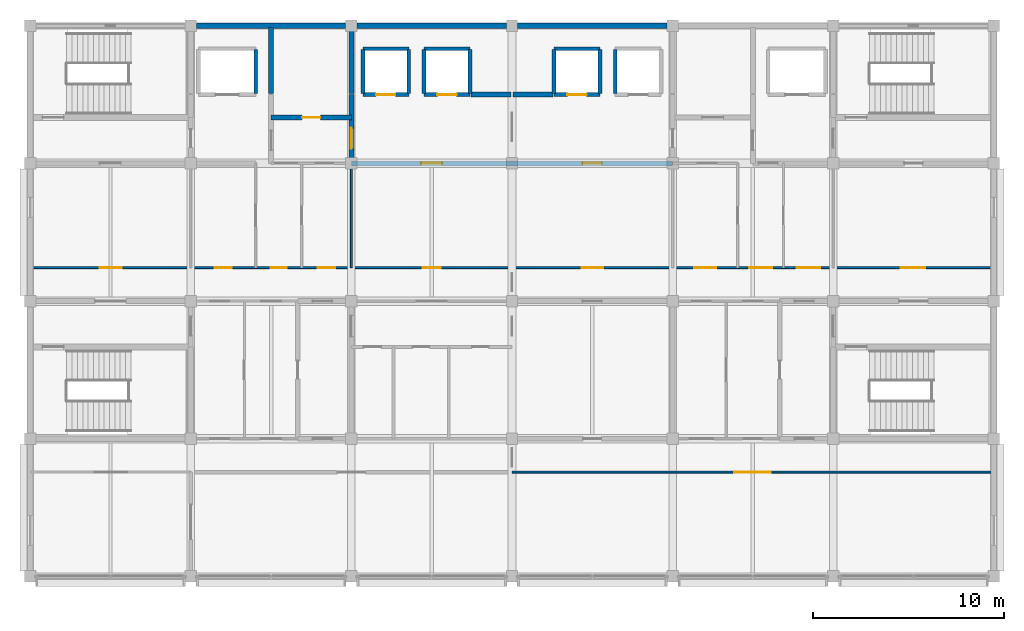
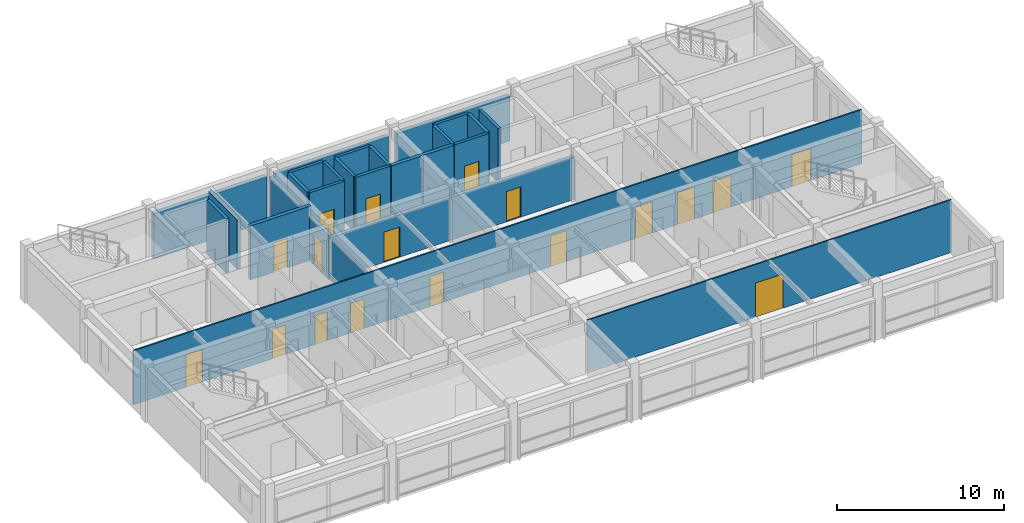
# One storey, part 10 of 13: 27 walls, 18 doors, 18 openings.
"""IFC4 building model written with IfcOpenShell, lengths in metres."""

from ifc_helpers import new_model, si_unit, direction, frame, frame_2d, origin, place, context, subcontext, project, spatial, rectangle, extrude, material, layer, layer_set, type_object, element, fill, save


model = new_model("IFC4")

# Units and contexts
model_context = context("Model", 3, precision=1e-05, world=origin(), true_north=direction((0.0, 1.0)))
body_context = subcontext(model_context, "Body", "Model", "MODEL_VIEW")
ifc_project = project(units=[si_unit("LENGTHUNIT", "METRE"), si_unit("AREAUNIT", "SQUARE_METRE"), si_unit("VOLUMEUNIT", "CUBIC_METRE"), si_unit("PLANEANGLEUNIT", "RADIAN"), si_unit("MASSUNIT", "GRAM", prefix="KILO")], contexts=[model_context])

# Site, building, storey
site_placement = place(None, origin())
site = spatial("IfcSite", under=ifc_project, at=site_placement, CompositionType="ELEMENT")
building_placement = place(site_placement, origin())
building = spatial("IfcBuilding", under=site, at=building_placement, Name="Chengyuan Square Courthouse", CompositionType="ELEMENT")
storey_placement = place(building_placement, frame((0.0, 0.0, 64.5)))
storey = spatial("IfcBuildingStorey", under=building, at=storey_placement, Name="L15", CompositionType="ELEMENT", Elevation=64.5)

# Walls
ifc_material_1 = material(Name="Concrete C40", Category="concrete")
ifc_layer_1 = layer(ifc_material_1, 0.280029296875)
ifc_layer_set_1 = layer_set([ifc_layer_1], Name="Concrete C40")
wall_type_1 = type_object("IfcWallType", Name="WL-EW4", PredefinedType="STANDARD", material=ifc_layer_set_1)
wall_1_placement = place(storey_placement, frame((67.4951171875, 108.0, 0.0), z_axis=(0.0, 0.0, 1.0), x_axis=(1.0, 0.0, 0.0)))
element("IfcWall", 1, at=wall_1_placement, inside=storey, type_object=wall_type_1, Name="Exterior Wall WL-L15-E527", PredefinedType="STANDARD", context=body_context, shape_type="SweptSolid", body=[
    extrude(rectangle(XDim=7.809814453125, YDim=0.280029296875, at=frame_2d((3.90478515625, 0.0))), origin(), (0.0, 0.0, 1.0), 3.300048828125),
])
for number, where, z_axis, x_axis, name in (
    (2, (75.89501953125, 108.0, 0.0), (0.0, 0.0, 1.0), (1.0, 0.0, 0.0), "Exterior Wall WL-L15-E528"),
    (3, (84.294921875, 108.0, 0.0), (0.0, 0.0, 1.0), (1.0, 0.0, 0.0), "Exterior Wall WL-L15-E529"),
):
    element("IfcWall", number, at=place(storey_placement, frame(where, z_axis=z_axis, x_axis=x_axis)), inside=storey, type_object=wall_type_1, Name=name, PredefinedType="STANDARD", context=body_context, shape_type="SweptSolid", body=[
        extrude(rectangle(XDim=7.81005859375, YDim=0.280029296875, at=frame_2d((3.905029296875, 0.0))), origin(), (0.0, 0.0, 1.0), 3.300048828125),
    ])

# Wall, openings, doors
ifc_layer_2 = layer(ifc_material_1, 0.25)
ifc_layer_set_2 = layer_set([ifc_layer_2], Name="Concrete C40")
wall_type_2 = type_object("IfcWallType", Name="WL-FW1", PredefinedType="STANDARD", material=ifc_layer_set_2)
wall_2_placement = place(storey_placement, frame((75.60009765625, 100.800048828125, 0.0), z_axis=(0.0, 0.0, 1.0), x_axis=(1.0, 0.0, 0.0)))
wall_2 = element("IfcWall", 4, at=wall_2_placement, inside=storey, type_object=wall_type_2, Name="Interior Wall WL-L15-I4016", PredefinedType="STANDARD", context=body_context, shape_type="SweptSolid", body=[
    extrude(rectangle(XDim=16.7998046875, YDim=0.25, at=frame_2d((8.39990234375, 0.0))), origin(), (0.0, 0.0, 1.0), 3.10009765625),
])
opening_1_placement = place(wall_2_placement, frame((3.64990234375, 0.0, 0.0)))
opening_1 = element("IfcOpeningElement", 5, at=opening_1_placement, cuts=wall_2, Name="Opening DR-3324", PredefinedType="OPENING", context=body_context, shape_type="SweptSolid", body=[
    extrude(rectangle(XDim=1.10009765625, YDim=2.199951171875, at=frame_2d((0.550048828125, 1.10009765625))), frame((0.0, 0.136962890625, 0.0), z_axis=(0.0, -1.0, 0.0), x_axis=(1.0, 0.0, 0.0)), (0.0, 0.0, 1.0), 0.27392578125),
])
opening_2_placement = place(wall_2_placement, frame((12.10009765625, 0.0, 0.0)))
opening_2 = element("IfcOpeningElement", 6, at=opening_2_placement, cuts=wall_2, Name="Opening DR-3325", PredefinedType="OPENING", context=body_context, shape_type="SweptSolid", body=[
    extrude(rectangle(XDim=1.0, YDim=2.199951171875, at=frame_2d((0.5, 1.10009765625))), frame((0.0, 0.136962890625, 0.0), z_axis=(0.0, -1.0, 0.0), x_axis=(1.0, 0.0, 0.0)), (0.0, 0.0, 1.0), 0.27392578125),
])
ifc_material_2 = material(Name="Steel Q235B Fire Door", Category="steel")
door_type_1 = type_object("IfcDoorType", Name="DT-10", OperationType="NOTDEFINED", PredefinedType="DOOR", material=ifc_material_2)
door_1_placement = place(opening_1_placement, origin())
door_1 = element("IfcDoor", 7, at=door_1_placement, inside=storey, type_object=door_type_1, Name="Interior Door DR-3324", OperationType="SINGLE_SWING_RIGHT", OverallHeight=2.199951171875, OverallWidth=1.10009765625, PredefinedType="DOOR", context=body_context, shape_type="SweptSolid", body=[
    extrude(rectangle(XDim=1.10009765625, YDim=2.199951171875, at=frame_2d((0.550048828125, 1.10009765625))), frame((0.0, 0.02490234375, 0.0), z_axis=(0.0, -1.0, 0.0), x_axis=(1.0, 0.0, 0.0)), (0.0, 0.0, 1.0), 0.050048828125),
])
fill(opening_1, door_1)
door_type_2 = type_object("IfcDoorType", Name="DT-11", OperationType="NOTDEFINED", PredefinedType="DOOR", material=ifc_material_2)
door_2_placement = place(opening_2_placement, origin())
door_2 = element("IfcDoor", 8, at=door_2_placement, inside=storey, type_object=door_type_2, Name="Interior Door DR-3325", OperationType="SINGLE_SWING_LEFT", OverallHeight=2.199951171875, OverallWidth=1.0, PredefinedType="DOOR", context=body_context, shape_type="SweptSolid", body=[
    extrude(rectangle(XDim=1.0, YDim=2.199951171875, at=frame_2d((0.5, 1.10009765625))), frame((0.0, 0.02490234375, 0.0), z_axis=(0.0, -1.0, 0.0), x_axis=(1.0, 0.0, 0.0)), (0.0, 0.0, 1.0), 0.050048828125),
])
fill(opening_2, door_2)

# Wall, opening, door
wall_3_placement = place(storey_placement, frame((71.39990234375, 103.199951171875, 0.0), z_axis=(0.0, 0.0, 1.0), x_axis=(1.0, 0.0, 0.0)))
wall_3 = element("IfcWall", 9, at=wall_3_placement, inside=storey, type_object=wall_type_2, Name="Interior Wall WL-L15-I4020", PredefinedType="STANDARD", context=body_context, shape_type="SweptSolid", body=[
    extrude(rectangle(XDim=4.2001953125, YDim=0.25, at=frame_2d((2.10009765625, 0.0))), origin(), (0.0, 0.0, 1.0), 3.949951171875),
])
opening_3_placement = place(wall_3_placement, frame((1.625, 0.0, 0.0)))
opening_3 = element("IfcOpeningElement", 10, at=opening_3_placement, cuts=wall_3, Name="Opening DR-3314", PredefinedType="OPENING", context=body_context, shape_type="SweptSolid", body=[
    extrude(rectangle(XDim=0.949951171875, YDim=2.14990234375, at=frame_2d((0.47509765625, 1.074951171875))), frame((0.0, 0.136962890625, 0.0), z_axis=(0.0, -1.0, 0.0), x_axis=(1.0, 0.0, 0.0)), (0.0, 0.0, 1.0), 0.27392578125),
])
door_type_3 = type_object("IfcDoorType", Name="DT-12", OperationType="NOTDEFINED", PredefinedType="DOOR", material=ifc_material_2)
door_3_placement = place(opening_3_placement, origin())
door_3 = element("IfcDoor", 11, at=door_3_placement, inside=storey, type_object=door_type_3, Name="Interior Door DR-3314", OperationType="SINGLE_SWING_LEFT", OverallHeight=2.14990234375, OverallWidth=0.949951171875, PredefinedType="DOOR", context=body_context, shape_type="SweptSolid", body=[
    extrude(rectangle(XDim=0.949951171875, YDim=2.14990234375, at=frame_2d((0.47509765625, 1.074951171875))), frame((0.0, 0.02490234375, 0.0), z_axis=(0.0, -1.0, 0.0), x_axis=(1.0, 0.0, 0.0)), (0.0, 0.0, 1.0), 0.050048828125),
])
fill(opening_3, door_3)

# Walls
for number, where, z_axis, x_axis, name in (
    (12, (81.85009765625, 104.39990234375, 0.0), (0.0, 0.0, 1.0), (1.0, 0.0, 0.0), "Interior Wall WL-L15-I4026"),
    (13, (84.050048828125, 104.39990234375, 0.0), (0.0, 0.0, 1.0), (1.0, 0.0, 0.0), "Interior Wall WL-L15-I4027"),
):
    element("IfcWall", number, at=place(storey_placement, frame(where, z_axis=z_axis, x_axis=x_axis)), inside=storey, type_object=wall_type_2, Name=name, PredefinedType="STANDARD", context=body_context, shape_type="SweptSolid", body=[
        extrude(rectangle(XDim=2.099853515625, YDim=0.25, at=frame_2d((1.0498046875, 0.0))), origin(), (0.0, 0.0, 1.0), 3.949951171875),
    ])
wall_4_placement = place(storey_placement, frame((71.39990234375, 104.449951171875, 0.0), z_axis=(0.0, 0.0, 1.0), x_axis=(0.0, 1.0, 0.0)))
element("IfcWall", 14, at=wall_4_placement, inside=storey, type_object=wall_type_2, Name="Interior Wall WL-L15-I4049", PredefinedType="STANDARD", context=body_context, shape_type="SweptSolid", body=[
    extrude(rectangle(XDim=3.4599609375, YDim=0.25, at=frame_2d((1.72998046875, 0.0))), origin(), (0.0, 0.0, 1.0), 3.60009765625),
])

# Wall, opening, door
wall_5_placement = place(storey_placement, frame((75.60009765625, 100.800048828125, 0.0), z_axis=(0.0, 0.0, 1.0), x_axis=(0.0, 1.0, 0.0)))
wall_5 = element("IfcWall", 15, at=wall_5_placement, inside=storey, type_object=wall_type_2, Name="Interior Wall WL-L15-I4054", PredefinedType="STANDARD", context=body_context, shape_type="SweptSolid", body=[
    extrude(rectangle(XDim=3.599853515625, YDim=0.25, at=frame_2d((1.7998046875, 0.0))), origin(), (0.0, 0.0, 1.0), 3.199951171875),
])
opening_4_placement = place(wall_5_placement, frame((0.760009765625, 0.0, 0.0)))
opening_4 = element("IfcOpeningElement", 16, at=opening_4_placement, cuts=wall_5, Name="Opening DR-3315", PredefinedType="OPENING", context=body_context, shape_type="SweptSolid", body=[
    extrude(rectangle(XDim=1.10009765625, YDim=2.199951171875, at=frame_2d((0.550048828125, 1.10009765625))), frame((0.0, 0.136962890625, 0.0), z_axis=(0.0, -1.0, 0.0), x_axis=(1.0, 0.0, 0.0)), (0.0, 0.0, 1.0), 0.27392578125),
])
door_4_placement = place(opening_4_placement, origin())
door_4 = element("IfcDoor", 17, at=door_4_placement, inside=storey, type_object=door_type_1, Name="Interior Door DR-3315", OperationType="SINGLE_SWING_RIGHT", OverallHeight=2.199951171875, OverallWidth=1.10009765625, PredefinedType="DOOR", context=body_context, shape_type="SweptSolid", body=[
    extrude(rectangle(XDim=1.10009765625, YDim=2.199951171875, at=frame_2d((0.550048828125, 1.10009765625))), frame((0.0, 0.02490234375, 0.0), z_axis=(0.0, -1.0, 0.0), x_axis=(1.0, 0.0, 0.0)), (0.0, 0.0, 1.0), 0.050048828125),
])
fill(opening_4, door_4)

# Wall
wall_6_placement = place(storey_placement, frame((75.60009765625, 104.449951171875, 0.0), z_axis=(0.0, 0.0, 1.0), x_axis=(0.0, 1.0, 0.0)))
element("IfcWall", 18, at=wall_6_placement, inside=storey, type_object=wall_type_2, Name="Interior Wall WL-L15-I4055", PredefinedType="STANDARD", context=body_context, shape_type="SweptSolid", body=[
    extrude(rectangle(XDim=3.4599609375, YDim=0.25, at=frame_2d((1.72998046875, 0.0))), origin(), (0.0, 0.0, 1.0), 3.199951171875),
])

# Wall, opening, door
ifc_material_3 = material(Name="Gypsum Plasterboard Acoustic Stud Partition")
ifc_layer_3 = layer(ifc_material_3, 0.10009765625)
ifc_layer_set_3 = layer_set([ifc_layer_3], Name="Gypsum Plasterboard Acoustic Stud Partition")
wall_type_3 = type_object("IfcWallType", Name="WL-PT6", PredefinedType="STANDARD", material=ifc_layer_set_3)
wall_7_placement = place(storey_placement, frame((84.0, 84.64990234375, 0.0), z_axis=(0.0, 0.0, 1.0), x_axis=(1.0, 0.0, 0.0)))
wall_7 = element("IfcWall", 19, at=wall_7_placement, inside=storey, type_object=wall_type_3, Name="Interior Wall WL-L15-I3994", PredefinedType="STANDARD", context=body_context, shape_type="SweptSolid", body=[
    extrude(rectangle(XDim=25.159912109375, YDim=0.10009765625, at=frame_2d((12.580078125, 0.0))), origin(), (0.0, 0.0, 1.0), 3.85009765625),
])
opening_5_placement = place(wall_7_placement, frame((11.6298828125, 0.0, 0.0)))
opening_5 = element("IfcOpeningElement", 20, at=opening_5_placement, cuts=wall_7, Name="Opening DR-3368", PredefinedType="OPENING", context=body_context, shape_type="SweptSolid", body=[
    extrude(rectangle(XDim=1.89990234375, YDim=2.5, at=frame_2d((0.949951171875, 1.25))), frame((0.0, 0.06201171875, 0.0), z_axis=(0.0, -1.0, 0.0), x_axis=(1.0, 0.0, 0.0)), (0.0, 0.0, 1.0), 0.1240234375),
])
ifc_material_4 = material(Name="Acoustic Larch Veneer Double Door")
door_type_4 = type_object("IfcDoorType", Name="DT-26", OperationType="DOUBLE_DOOR_SINGLE_SWING", PredefinedType="DOOR", material=ifc_material_4)
door_5_placement = place(opening_5_placement, frame((1.89990234375, 0.0, 0.0), z_axis=(0.0, 0.0, 1.0), x_axis=(-1.0, 0.0, 0.0)))
door_5 = element("IfcDoor", 21, at=door_5_placement, inside=storey, type_object=door_type_4, Name="Interior Door DR-3368", OperationType="DOUBLE_DOOR_SINGLE_SWING", OverallHeight=2.5, OverallWidth=1.89990234375, PredefinedType="DOOR", context=body_context, shape_type="SweptSolid", body=[
    extrude(rectangle(XDim=1.89990234375, YDim=2.5, at=frame_2d((0.949951171875, 1.25))), frame((0.0, 0.02490234375, 0.0), z_axis=(0.0, -1.0, 0.0), x_axis=(1.0, 0.0, 0.0)), (0.0, 0.0, 1.0), 0.050048828125),
])
fill(opening_5, door_5)

# Wall, openings, doors
wall_8_placement = place(storey_placement, frame((58.840087890625, 95.35009765625, 0.0), z_axis=(0.0, 0.0, 1.0), x_axis=(1.0, 0.0, 0.0)))
wall_8 = element("IfcWall", 22, at=wall_8_placement, inside=storey, type_object=wall_type_3, Name="Interior Wall WL-L15-I4013", PredefinedType="STANDARD", context=body_context, shape_type="SweptSolid", body=[
    extrude(rectangle(XDim=50.31982421875, YDim=0.10009765625, at=frame_2d((25.159912109375, 0.0))), origin(), (0.0, 0.0, 1.0), 3.949951171875),
])
opening_6_placement = place(wall_8_placement, frame((3.610107421875, 0.0, 0.0)))
opening_6 = element("IfcOpeningElement", 23, at=opening_6_placement, cuts=wall_8, Name="Opening DR-3333", PredefinedType="OPENING", context=body_context, shape_type="SweptSolid", body=[
    extrude(rectangle(XDim=1.139892578125, YDim=2.39990234375, at=frame_2d((0.56982421875, 1.199951171875))), frame((0.0, 0.06201171875, 0.0), z_axis=(0.0, -1.0, 0.0), x_axis=(1.0, 0.0, 0.0)), (0.0, 0.0, 1.0), 0.1240234375),
])
opening_7_placement = place(wall_8_placement, frame((9.610107421875, 0.0, 0.0)))
opening_7 = element("IfcOpeningElement", 24, at=opening_7_placement, cuts=wall_8, Name="Opening DR-3334", PredefinedType="OPENING", context=body_context, shape_type="SweptSolid", body=[
    extrude(rectangle(XDim=0.89990234375, YDim=2.14990234375, at=frame_2d((0.449951171875, 1.074951171875))), frame((0.0, 0.06201171875, 0.0), z_axis=(0.0, -1.0, 0.0), x_axis=(1.0, 0.0, 0.0)), (0.0, 0.0, 1.0), 0.1240234375),
])
opening_8_placement = place(wall_8_placement, frame((12.530029296875, 0.0, 0.0)))
opening_8 = element("IfcOpeningElement", 25, at=opening_8_placement, cuts=wall_8, Name="Opening DR-3335", PredefinedType="OPENING", context=body_context, shape_type="SweptSolid", body=[
    extrude(rectangle(XDim=0.860107421875, YDim=2.10009765625, at=frame_2d((0.43017578125, 1.050048828125))), frame((0.0, 0.06201171875, 0.0), z_axis=(0.0, -1.0, 0.0), x_axis=(1.0, 0.0, 0.0)), (0.0, 0.0, 1.0), 0.1240234375),
])
opening_9_placement = place(wall_8_placement, frame((15.0, 0.0, 0.0)))
opening_9 = element("IfcOpeningElement", 26, at=opening_9_placement, cuts=wall_8, Name="Opening DR-3336", PredefinedType="OPENING", context=body_context, shape_type="SweptSolid", body=[
    extrude(rectangle(XDim=0.919921875, YDim=2.14990234375, at=frame_2d((0.4599609375, 1.074951171875))), frame((0.0, 0.06201171875, 0.0), z_axis=(0.0, -1.0, 0.0), x_axis=(1.0, 0.0, 0.0)), (0.0, 0.0, 1.0), 0.1240234375),
])
opening_10_placement = place(wall_8_placement, frame((20.47998046875, 0.0, 0.0)))
opening_10 = element("IfcOpeningElement", 27, at=opening_10_placement, cuts=wall_8, Name="Opening DR-3337", PredefinedType="OPENING", context=body_context, shape_type="SweptSolid", body=[
    extrude(rectangle(XDim=0.9599609375, YDim=2.199951171875, at=frame_2d((0.47998046875, 1.10009765625))), frame((0.0, 0.06201171875, 0.0), z_axis=(0.0, -1.0, 0.0), x_axis=(1.0, 0.0, 0.0)), (0.0, 0.0, 1.0), 0.1240234375),
])
opening_11_placement = place(wall_8_placement, frame((28.800048828125, 0.0, 0.0)))
opening_11 = element("IfcOpeningElement", 28, at=opening_11_placement, cuts=wall_8, Name="Opening DR-3341", PredefinedType="OPENING", context=body_context, shape_type="SweptSolid", body=[
    extrude(rectangle(XDim=1.1201171875, YDim=2.25, at=frame_2d((0.56005859375, 1.125))), frame((0.0, 0.06201171875, 0.0), z_axis=(0.0, -1.0, 0.0), x_axis=(1.0, 0.0, 0.0)), (0.0, 0.0, 1.0), 0.1240234375),
])
opening_12_placement = place(wall_8_placement, frame((34.679931640625, 0.0, 0.0)))
opening_12 = element("IfcOpeningElement", 29, at=opening_12_placement, cuts=wall_8, Name="Opening DR-3342", PredefinedType="OPENING", context=body_context, shape_type="SweptSolid", body=[
    extrude(rectangle(XDim=1.159912109375, YDim=2.300048828125, at=frame_2d((0.580078125, 1.14990234375))), frame((0.0, 0.06201171875, 0.0), z_axis=(0.0, -1.0, 0.0), x_axis=(1.0, 0.0, 0.0)), (0.0, 0.0, 1.0), 0.1240234375),
])
opening_13_placement = place(wall_8_placement, frame((37.56005859375, 0.0, 0.0)))
opening_13 = element("IfcOpeningElement", 30, at=opening_13_placement, cuts=wall_8, Name="Opening DR-3343", PredefinedType="OPENING", context=body_context, shape_type="SweptSolid", body=[
    extrude(rectangle(XDim=1.199951171875, YDim=2.35009765625, at=frame_2d((0.60009765625, 1.175048828125))), frame((0.0, 0.06201171875, 0.0), z_axis=(0.0, -1.0, 0.0), x_axis=(1.0, 0.0, 0.0)), (0.0, 0.0, 1.0), 0.1240234375),
])
opening_14_placement = place(wall_8_placement, frame((40.0400390625, 0.0, 0.0)))
opening_14 = element("IfcOpeningElement", 31, at=opening_14_placement, cuts=wall_8, Name="Opening DR-3344", PredefinedType="OPENING", context=body_context, shape_type="SweptSolid", body=[
    extrude(rectangle(XDim=1.239990234375, YDim=2.300048828125, at=frame_2d((0.6201171875, 1.14990234375))), frame((0.0, 0.06201171875, 0.0), z_axis=(0.0, -1.0, 0.0), x_axis=(1.0, 0.0, 0.0)), (0.0, 0.0, 1.0), 0.1240234375),
])
opening_15_placement = place(wall_8_placement, frame((45.5, 0.0, 0.0)))
opening_15 = element("IfcOpeningElement", 32, at=opening_15_placement, cuts=wall_8, Name="Opening DR-3345", PredefinedType="OPENING", context=body_context, shape_type="SweptSolid", body=[
    extrude(rectangle(XDim=1.280029296875, YDim=2.35009765625, at=frame_2d((0.64013671875, 1.175048828125))), frame((0.0, 0.06201171875, 0.0), z_axis=(0.0, -1.0, 0.0), x_axis=(1.0, 0.0, 0.0)), (0.0, 0.0, 1.0), 0.1240234375),
])
ifc_material_5 = material(Name="Acoustic Solid-Core Timber Door", Category="wood")
door_type_5 = type_object("IfcDoorType", Name="DT-27", OperationType="NOTDEFINED", PredefinedType="DOOR", material=ifc_material_5)
door_6_placement = place(opening_7_placement, origin())
door_6 = element("IfcDoor", 33, at=door_6_placement, inside=storey, type_object=door_type_5, Name="Interior Door DR-3334", OperationType="SINGLE_SWING_LEFT", OverallHeight=2.14990234375, OverallWidth=0.89990234375, PredefinedType="DOOR", context=body_context, shape_type="SweptSolid", body=[
    extrude(rectangle(XDim=0.89990234375, YDim=2.14990234375, at=frame_2d((0.449951171875, 1.074951171875))), frame((0.0, 0.02490234375, 0.0), z_axis=(0.0, -1.0, 0.0), x_axis=(1.0, 0.0, 0.0)), (0.0, 0.0, 1.0), 0.050048828125),
])
fill(opening_7, door_6)
door_type_6 = type_object("IfcDoorType", Name="DT-28", OperationType="NOTDEFINED", PredefinedType="DOOR", material=ifc_material_5)
door_7_placement = place(opening_8_placement, origin())
door_7 = element("IfcDoor", 34, at=door_7_placement, inside=storey, type_object=door_type_6, Name="Interior Door DR-3335", OperationType="SINGLE_SWING_RIGHT", OverallHeight=2.10009765625, OverallWidth=0.860107421875, PredefinedType="DOOR", context=body_context, shape_type="SweptSolid", body=[
    extrude(rectangle(XDim=0.860107421875, YDim=2.10009765625, at=frame_2d((0.43017578125, 1.050048828125))), frame((0.0, 0.02490234375, 0.0), z_axis=(0.0, -1.0, 0.0), x_axis=(1.0, 0.0, 0.0)), (0.0, 0.0, 1.0), 0.050048828125),
])
fill(opening_8, door_7)
door_type_7 = type_object("IfcDoorType", Name="DT-29", OperationType="NOTDEFINED", PredefinedType="DOOR", material=ifc_material_5)
door_8_placement = place(opening_9_placement, origin())
door_8 = element("IfcDoor", 35, at=door_8_placement, inside=storey, type_object=door_type_7, Name="Interior Door DR-3336", OperationType="SINGLE_SWING_LEFT", OverallHeight=2.14990234375, OverallWidth=0.919921875, PredefinedType="DOOR", context=body_context, shape_type="SweptSolid", body=[
    extrude(rectangle(XDim=0.919921875, YDim=2.14990234375, at=frame_2d((0.4599609375, 1.074951171875))), frame((0.0, 0.02490234375, 0.0), z_axis=(0.0, -1.0, 0.0), x_axis=(1.0, 0.0, 0.0)), (0.0, 0.0, 1.0), 0.050048828125),
])
fill(opening_9, door_8)
door_type_8 = type_object("IfcDoorType", Name="DT-30", OperationType="NOTDEFINED", PredefinedType="DOOR", material=ifc_material_5)
door_9_placement = place(opening_10_placement, origin())
door_9 = element("IfcDoor", 36, at=door_9_placement, inside=storey, type_object=door_type_8, Name="Interior Door DR-3337", OperationType="SINGLE_SWING_RIGHT", OverallHeight=2.199951171875, OverallWidth=0.9599609375, PredefinedType="DOOR", context=body_context, shape_type="SweptSolid", body=[
    extrude(rectangle(XDim=0.9599609375, YDim=2.199951171875, at=frame_2d((0.47998046875, 1.10009765625))), frame((0.0, 0.02490234375, 0.0), z_axis=(0.0, -1.0, 0.0), x_axis=(1.0, 0.0, 0.0)), (0.0, 0.0, 1.0), 0.050048828125),
])
fill(opening_10, door_9)
door_type_9 = type_object("IfcDoorType", Name="DT-34", OperationType="NOTDEFINED", PredefinedType="DOOR", material=ifc_material_5)
door_10_placement = place(opening_11_placement, origin())
door_10 = element("IfcDoor", 37, at=door_10_placement, inside=storey, type_object=door_type_9, Name="Interior Door DR-3341", OperationType="SINGLE_SWING_RIGHT", OverallHeight=2.25, OverallWidth=1.1201171875, PredefinedType="DOOR", context=body_context, shape_type="SweptSolid", body=[
    extrude(rectangle(XDim=1.1201171875, YDim=2.25, at=frame_2d((0.56005859375, 1.125))), frame((0.0, 0.02490234375, 0.0), z_axis=(0.0, -1.0, 0.0), x_axis=(1.0, 0.0, 0.0)), (0.0, 0.0, 1.0), 0.050048828125),
])
fill(opening_11, door_10)
door_type_10 = type_object("IfcDoorType", Name="DT-35", OperationType="NOTDEFINED", PredefinedType="DOOR", material=ifc_material_5)
door_11_placement = place(opening_12_placement, origin())
door_11 = element("IfcDoor", 38, at=door_11_placement, inside=storey, type_object=door_type_10, Name="Interior Door DR-3342", OperationType="SINGLE_SWING_LEFT", OverallHeight=2.300048828125, OverallWidth=1.159912109375, PredefinedType="DOOR", context=body_context, shape_type="SweptSolid", body=[
    extrude(rectangle(XDim=1.159912109375, YDim=2.300048828125, at=frame_2d((0.580078125, 1.14990234375))), frame((0.0, 0.02490234375, 0.0), z_axis=(0.0, -1.0, 0.0), x_axis=(1.0, 0.0, 0.0)), (0.0, 0.0, 1.0), 0.050048828125),
])
fill(opening_12, door_11)
door_type_11 = type_object("IfcDoorType", Name="DT-36", OperationType="NOTDEFINED", PredefinedType="DOOR", material=ifc_material_5)
door_12_placement = place(opening_13_placement, origin())
door_12 = element("IfcDoor", 39, at=door_12_placement, inside=storey, type_object=door_type_11, Name="Interior Door DR-3343", OperationType="SINGLE_SWING_RIGHT", OverallHeight=2.35009765625, OverallWidth=1.199951171875, PredefinedType="DOOR", context=body_context, shape_type="SweptSolid", body=[
    extrude(rectangle(XDim=1.199951171875, YDim=2.35009765625, at=frame_2d((0.60009765625, 1.175048828125))), frame((0.0, 0.02490234375, 0.0), z_axis=(0.0, -1.0, 0.0), x_axis=(1.0, 0.0, 0.0)), (0.0, 0.0, 1.0), 0.050048828125),
])
fill(opening_13, door_12)
door_type_12 = type_object("IfcDoorType", Name="DT-37", OperationType="NOTDEFINED", PredefinedType="DOOR", material=ifc_material_5)
door_13_placement = place(opening_14_placement, origin())
door_13 = element("IfcDoor", 40, at=door_13_placement, inside=storey, type_object=door_type_12, Name="Interior Door DR-3344", OperationType="SINGLE_SWING_LEFT", OverallHeight=2.300048828125, OverallWidth=1.239990234375, PredefinedType="DOOR", context=body_context, shape_type="SweptSolid", body=[
    extrude(rectangle(XDim=1.239990234375, YDim=2.300048828125, at=frame_2d((0.6201171875, 1.14990234375))), frame((0.0, 0.02490234375, 0.0), z_axis=(0.0, -1.0, 0.0), x_axis=(1.0, 0.0, 0.0)), (0.0, 0.0, 1.0), 0.050048828125),
])
fill(opening_14, door_13)
door_type_13 = type_object("IfcDoorType", Name="DT-38", OperationType="NOTDEFINED", PredefinedType="DOOR", material=ifc_material_5)
door_14_placement = place(opening_15_placement, origin())
door_14 = element("IfcDoor", 41, at=door_14_placement, inside=storey, type_object=door_type_13, Name="Interior Door DR-3345", OperationType="SINGLE_SWING_RIGHT", OverallHeight=2.35009765625, OverallWidth=1.280029296875, PredefinedType="DOOR", context=body_context, shape_type="SweptSolid", body=[
    extrude(rectangle(XDim=1.280029296875, YDim=2.35009765625, at=frame_2d((0.64013671875, 1.175048828125))), frame((0.0, 0.02490234375, 0.0), z_axis=(0.0, -1.0, 0.0), x_axis=(1.0, 0.0, 0.0)), (0.0, 0.0, 1.0), 0.050048828125),
])
fill(opening_15, door_14)
door_type_14 = type_object("IfcDoorType", Name="DT-43", OperationType="NOTDEFINED", PredefinedType="DOOR", material=ifc_material_5)
door_15_placement = place(opening_6_placement, origin())
door_15 = element("IfcDoor", 42, at=door_15_placement, inside=storey, type_object=door_type_14, Name="Interior Door DR-3333", OperationType="SINGLE_SWING_RIGHT", OverallHeight=2.39990234375, OverallWidth=1.139892578125, PredefinedType="DOOR", context=body_context, shape_type="SweptSolid", body=[
    extrude(rectangle(XDim=1.139892578125, YDim=2.39990234375, at=frame_2d((0.56982421875, 1.199951171875))), frame((0.0, 0.02490234375, 0.0), z_axis=(0.0, -1.0, 0.0), x_axis=(1.0, 0.0, 0.0)), (0.0, 0.0, 1.0), 0.050048828125),
])
fill(opening_6, door_15)

# Wall
wall_9_placement = place(storey_placement, frame((75.60009765625, 95.35009765625, 0.0), z_axis=(0.0, 0.0, 1.0), x_axis=(0.0, 1.0, 0.0)))
element("IfcWall", 43, at=wall_9_placement, inside=storey, type_object=wall_type_3, Name="Interior Wall WL-L15-I4053", PredefinedType="STANDARD", context=body_context, shape_type="SweptSolid", body=[
    extrude(rectangle(XDim=5.449951171875, YDim=0.10009765625, at=frame_2d((2.72509765625, 0.0))), origin(), (0.0, 0.0, 1.0), 3.199951171875),
])

# Wall, opening, door
ifc_material_6 = material(Name="Reinforced Masonry Shaft Enclosure", Category="masonry")
ifc_layer_4 = layer(ifc_material_6, 0.199951171875)
ifc_layer_set_4 = layer_set([ifc_layer_4], Name="Reinforced Masonry Shaft Enclosure")
wall_type_4 = type_object("IfcWallType", Name="WL-SH1", PredefinedType="STANDARD", material=ifc_layer_set_4)
wall_10_placement = place(storey_placement, frame((76.199951171875, 104.39990234375, 0.0), z_axis=(0.0, 0.0, 1.0), x_axis=(1.0, 0.0, 0.0)))
wall_10 = element("IfcWall", 44, at=wall_10_placement, inside=storey, type_object=wall_type_4, Name="Interior Wall WL-L15-I4024", PredefinedType="STANDARD", context=body_context, shape_type="SweptSolid", body=[
    extrude(rectangle(XDim=2.400146484375, YDim=0.199951171875, at=frame_2d((1.2001953125, 0.0))), origin(), (0.0, 0.0, 1.0), 3.949951171875),
])
opening_16_placement = place(wall_10_placement, frame((0.699951171875, 0.0, 0.0)))
opening_16 = element("IfcOpeningElement", 45, at=opening_16_placement, cuts=wall_10, Name="Opening LD-207", PredefinedType="OPENING", context=body_context, shape_type="SweptSolid", body=[
    extrude(rectangle(XDim=1.0, YDim=2.14990234375, at=frame_2d((0.5, 1.074951171875))), frame((0.0, 0.112060546875, 0.0), z_axis=(0.0, -1.0, 0.0), x_axis=(1.0, 0.0, 0.0)), (0.0, 0.0, 1.0), 0.223876953125),
])
ifc_material_7 = material(Name="Stainless Steel S30408 Lift Landing Door", Category="steel")
door_type_15 = type_object("IfcDoorType", Name="DT-07", OperationType="DOUBLE_DOOR_SLIDING", PredefinedType="DOOR", material=ifc_material_7)
door_16_placement = place(opening_16_placement, origin())
door_16 = element("IfcDoor", 46, at=door_16_placement, inside=storey, type_object=door_type_15, Name="Lift Landing Door LF-J1 L15", OperationType="DOUBLE_DOOR_SLIDING", OverallHeight=2.14990234375, OverallWidth=1.0, PredefinedType="DOOR", context=body_context, shape_type="SweptSolid", body=[
    extrude(rectangle(XDim=1.0, YDim=2.14990234375, at=frame_2d((0.5, 1.074951171875))), frame((0.0, 0.02490234375, 0.0), z_axis=(0.0, -1.0, 0.0), x_axis=(1.0, 0.0, 0.0)), (0.0, 0.0, 1.0), 0.050048828125),
])
fill(opening_16, door_16)

wall_11_placement = place(storey_placement, frame((79.39990234375, 104.39990234375, 0.0), z_axis=(0.0, 0.0, 1.0), x_axis=(1.0, 0.0, 0.0)))
wall_11 = element("IfcWall", 47, at=wall_11_placement, inside=storey, type_object=wall_type_4, Name="Interior Wall WL-L15-I4025", PredefinedType="STANDARD", context=body_context, shape_type="SweptSolid", body=[
    extrude(rectangle(XDim=2.400146484375, YDim=0.199951171875, at=frame_2d((1.2001953125, 0.0))), origin(), (0.0, 0.0, 1.0), 3.949951171875),
])
opening_17_placement = place(wall_11_placement, frame((0.699951171875, 0.0, 0.0)))
opening_17 = element("IfcOpeningElement", 48, at=opening_17_placement, cuts=wall_11, Name="Opening LD-208", PredefinedType="OPENING", context=body_context, shape_type="SweptSolid", body=[
    extrude(rectangle(XDim=1.0, YDim=2.14990234375, at=frame_2d((0.5, 1.074951171875))), frame((0.0, 0.112060546875, 0.0), z_axis=(0.0, -1.0, 0.0), x_axis=(1.0, 0.0, 0.0)), (0.0, 0.0, 1.0), 0.223876953125),
])
door_17_placement = place(opening_17_placement, origin())
door_17 = element("IfcDoor", 49, at=door_17_placement, inside=storey, type_object=door_type_15, Name="Lift Landing Door LF-J2 L15", OperationType="DOUBLE_DOOR_SLIDING", OverallHeight=2.14990234375, OverallWidth=1.0, PredefinedType="DOOR", context=body_context, shape_type="SweptSolid", body=[
    extrude(rectangle(XDim=1.0, YDim=2.14990234375, at=frame_2d((0.5, 1.074951171875))), frame((0.0, 0.02490234375, 0.0), z_axis=(0.0, -1.0, 0.0), x_axis=(1.0, 0.0, 0.0)), (0.0, 0.0, 1.0), 0.050048828125),
])
fill(opening_17, door_17)

wall_12_placement = place(storey_placement, frame((86.199951171875, 104.39990234375, 0.0), z_axis=(0.0, 0.0, 1.0), x_axis=(1.0, 0.0, 0.0)))
wall_12 = element("IfcWall", 50, at=wall_12_placement, inside=storey, type_object=wall_type_4, Name="Interior Wall WL-L15-I4028", PredefinedType="STANDARD", context=body_context, shape_type="SweptSolid", body=[
    extrude(rectangle(XDim=2.400146484375, YDim=0.199951171875, at=frame_2d((1.2001953125, 0.0))), origin(), (0.0, 0.0, 1.0), 3.949951171875),
])
opening_18_placement = place(wall_12_placement, frame((0.699951171875, 0.0, 0.0)))
opening_18 = element("IfcOpeningElement", 51, at=opening_18_placement, cuts=wall_12, Name="Opening LD-209", PredefinedType="OPENING", context=body_context, shape_type="SweptSolid", body=[
    extrude(rectangle(XDim=1.0, YDim=2.14990234375, at=frame_2d((0.5, 1.074951171875))), frame((0.0, 0.112060546875, 0.0), z_axis=(0.0, -1.0, 0.0), x_axis=(1.0, 0.0, 0.0)), (0.0, 0.0, 1.0), 0.223876953125),
])
door_18_placement = place(opening_18_placement, origin())
door_18 = element("IfcDoor", 52, at=door_18_placement, inside=storey, type_object=door_type_15, Name="Lift Landing Door LF-J3 L15", OperationType="DOUBLE_DOOR_SLIDING", OverallHeight=2.14990234375, OverallWidth=1.0, PredefinedType="DOOR", context=body_context, shape_type="SweptSolid", body=[
    extrude(rectangle(XDim=1.0, YDim=2.14990234375, at=frame_2d((0.5, 1.074951171875))), frame((0.0, 0.02490234375, 0.0), z_axis=(0.0, -1.0, 0.0), x_axis=(1.0, 0.0, 0.0)), (0.0, 0.0, 1.0), 0.050048828125),
])
fill(opening_18, door_18)

# Walls
for number, where, z_axis, x_axis, name in (
    (53, (76.199951171875, 106.800048828125, 0.0), (0.0, 0.0, 1.0), (1.0, 0.0, 0.0), "Interior Wall WL-L15-I4032"),
    (54, (79.39990234375, 106.800048828125, 0.0), (0.0, 0.0, 1.0), (1.0, 0.0, 0.0), "Interior Wall WL-L15-I4033"),
    (55, (86.199951171875, 106.800048828125, 0.0), (0.0, 0.0, 1.0), (1.0, 0.0, 0.0), "Interior Wall WL-L15-I4034"),
):
    element("IfcWall", number, at=place(storey_placement, frame(where, z_axis=z_axis, x_axis=x_axis)), inside=storey, type_object=wall_type_4, Name=name, PredefinedType="STANDARD", context=body_context, shape_type="SweptSolid", body=[
        extrude(rectangle(XDim=2.400146484375, YDim=0.199951171875, at=frame_2d((1.2001953125, 0.0))), origin(), (0.0, 0.0, 1.0), 3.949951171875),
    ])
for number, where, z_axis, x_axis, name in (
    (56, (70.60009765625, 104.449951171875, 0.0), (0.0, 0.0, 1.0), (0.0, 1.0, 0.0), "Interior Wall WL-L15-I4047"),
    (57, (76.199951171875, 104.449951171875, 0.0), (0.0, 0.0, 1.0), (0.0, 1.0, 0.0), "Interior Wall WL-L15-I4056"),
    (58, (78.60009765625, 104.449951171875, 0.0), (0.0, 0.0, 1.0), (0.0, 1.0, 0.0), "Interior Wall WL-L15-I4058"),
    (59, (79.39990234375, 104.449951171875, 0.0), (0.0, 0.0, 1.0), (0.0, 1.0, 0.0), "Interior Wall WL-L15-I4059"),
    (60, (81.800048828125, 104.449951171875, 0.0), (0.0, 0.0, 1.0), (0.0, 1.0, 0.0), "Interior Wall WL-L15-I4061"),
    (61, (86.199951171875, 104.449951171875, 0.0), (0.0, 0.0, 1.0), (0.0, 1.0, 0.0), "Interior Wall WL-L15-I4063"),
    (62, (88.60009765625, 104.449951171875, 0.0), (0.0, 0.0, 1.0), (0.0, 1.0, 0.0), "Interior Wall WL-L15-I4064"),
    (63, (89.39990234375, 104.449951171875, 0.0), (0.0, 0.0, 1.0), (0.0, 1.0, 0.0), "Interior Wall WL-L15-I4065"),
):
    element("IfcWall", number, at=place(storey_placement, frame(where, z_axis=z_axis, x_axis=x_axis)), inside=storey, type_object=wall_type_4, Name=name, PredefinedType="STANDARD", context=body_context, shape_type="SweptSolid", body=[
        extrude(rectangle(XDim=2.300048828125, YDim=0.199951171875, at=frame_2d((1.14990234375, 0.0))), origin(), (0.0, 0.0, 1.0), 3.949951171875),
    ])

save(model, "model.ifc")
